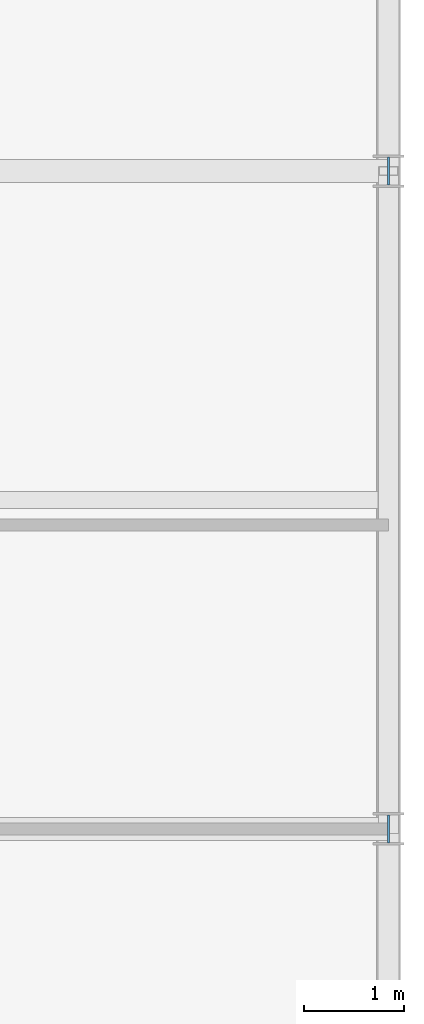
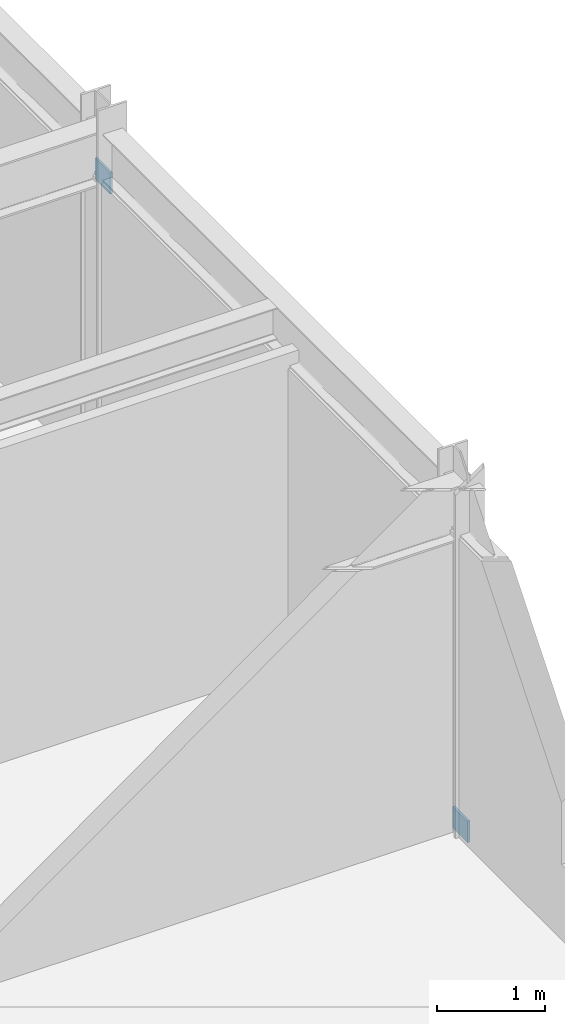
# One storey, part 109 of 130: 2 plates.
"""IFC4 building model written with IfcOpenShell, lengths in metres."""

from ifc_helpers import new_model, si_unit, direction, frame, origin, origin_2d, place, context, subcontext, project, spatial, rectangle, extrude, material, layer, layer_set, type_object, element, save


model = new_model("IFC4")

# Units and contexts
model_context = context("Model", 3, precision=1e-05, world=origin(), true_north=direction((0.0, 1.0)))
body_context = subcontext(model_context, "Body", "Model", "MODEL_VIEW")
ifc_project = project(units=[si_unit("LENGTHUNIT", "METRE"), si_unit("AREAUNIT", "SQUARE_METRE"), si_unit("VOLUMEUNIT", "CUBIC_METRE"), si_unit("PLANEANGLEUNIT", "RADIAN"), si_unit("MASSUNIT", "GRAM", prefix="KILO")], contexts=[model_context])

# Site, building, storey
site_placement = place(None, origin())
site = spatial("IfcSite", under=ifc_project, at=site_placement, CompositionType="ELEMENT")
building_placement = place(site_placement, origin())
building = spatial("IfcBuilding", under=site, at=building_placement, Name="Karori Crest Natural Sciences Institute", CompositionType="ELEMENT")
storey_placement = place(building_placement, frame((0.0, 0.0, 17.5)))
storey = spatial("IfcBuildingStorey", under=building, at=storey_placement, Name="L04", CompositionType="ELEMENT", Elevation=17.5)

# Plates
ifc_material = material(Name="Structural steel AS/NZS 3679.1 Grade 350", Category="steel")
ifc_layer = layer(ifc_material, 0.02490234375, Name="Structural steel AS/NZS 3679.1 Grade 350")
ifc_layer_set = layer_set([ifc_layer], Name="Structural steel AS/NZS 3679.1 Grade 350")
plate_type = type_object("IfcPlateType", Name="PLT-06-EL", PredefinedType="SHEET", material=ifc_layer_set)
for number, where, z_axis, x_axis, name in (
    (1, (162.199951171875, 7.39990234375, -0.10986328125), (0.0, 0.0, 1.0), (0.0, 1.0, 0.0), "Brace gusset plate EP-0406"),
    (2, (162.199951171875, 14.0, 3.1982421875), (0.0, 0.0, 1.0), (0.0, 1.0, 0.0), "Brace gusset plate EP-0407"),
):
    element("IfcPlate", number, at=place(storey_placement, frame(where, z_axis=z_axis, x_axis=x_axis)), inside=storey, type_object=plate_type, Name=name, PredefinedType="SHEET", context=body_context, shape_type="SweptSolid", body=[
        extrude(rectangle(XDim=0.280029296875, YDim=0.02490234375, at=origin_2d()), origin(), (0.0, 0.0, 1.0), 0.239990234375),
    ])

save(model, "model.ifc")
